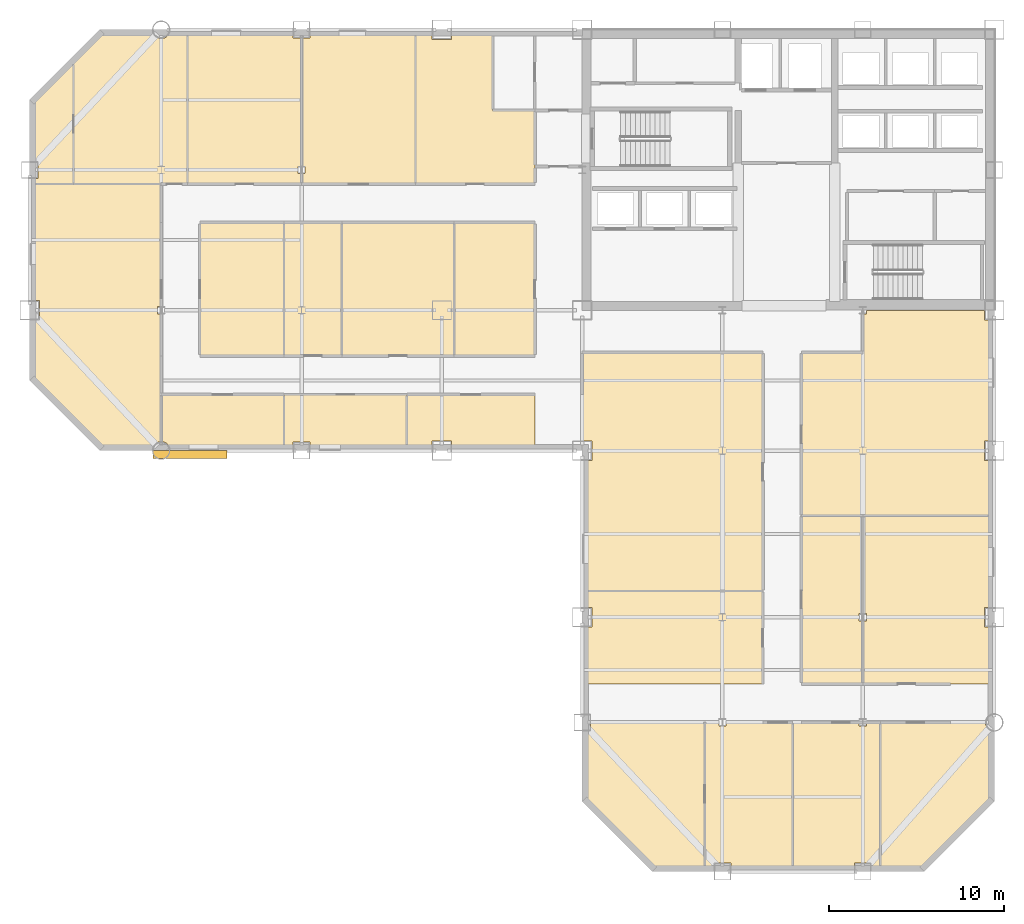
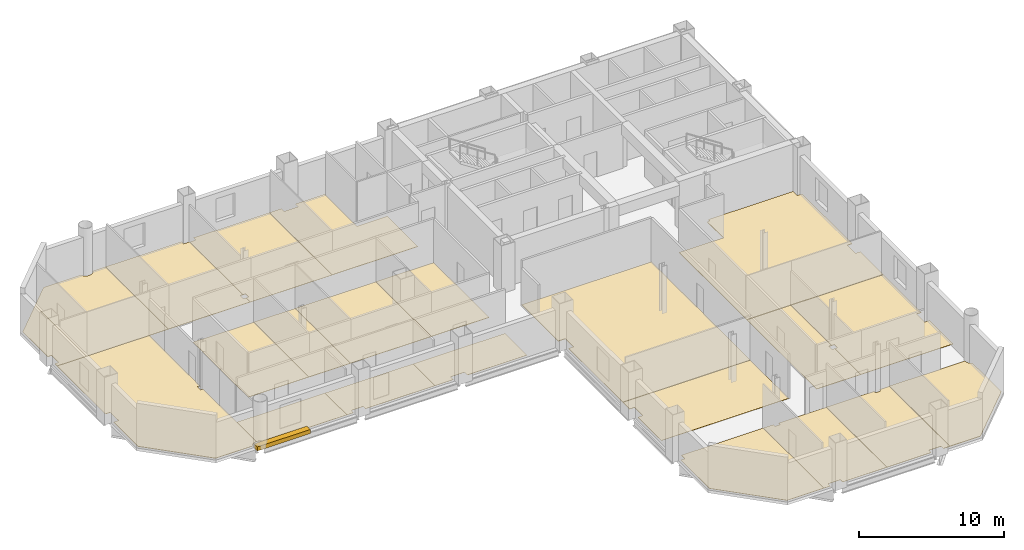
# One storey, part 9 of 10: 22 coverings, 1 shading device.
"""IFC4 building model written with IfcOpenShell, lengths in metres."""

from ifc_helpers import new_model, si_unit, direction, frame, origin, origin_2d, place, context, subcontext, project, spatial, polyline, rectangle, outline, extrude, material, layer, layer_set, type_object, element, save


model = new_model("IFC4")

# Units and contexts
model_context = context("Model", 3, precision=1e-05, world=origin(), true_north=direction((0.0, 1.0)))
body_context = subcontext(model_context, "Body", "Model", "MODEL_VIEW")
ifc_project = project(units=[si_unit("LENGTHUNIT", "METRE"), si_unit("AREAUNIT", "SQUARE_METRE"), si_unit("VOLUMEUNIT", "CUBIC_METRE"), si_unit("PLANEANGLEUNIT", "RADIAN"), si_unit("MASSUNIT", "GRAM", prefix="KILO")], contexts=[model_context])

# Site, building, storey
site_placement = place(None, origin())
site = spatial("IfcSite", under=ifc_project, at=site_placement, CompositionType="ELEMENT")
building_placement = place(site_placement, origin())
building = spatial("IfcBuilding", under=site, at=building_placement, Name="Qianrong Seaharbour Tower", CompositionType="ELEMENT")
storey_placement = place(building_placement, frame((0.0, 0.0, 179.0)))
storey = spatial("IfcBuildingStorey", under=building, at=storey_placement, Name="L43", CompositionType="ELEMENT", Elevation=179.0)

# Coverings
ifc_material_1 = material(Name="Acoustic modular carpet tile flooring")
ifc_layer_1 = layer(ifc_material_1, 0.02001953125)
ifc_layer_set_1 = layer_set([ifc_layer_1], Name="Acoustic modular carpet tile flooring")
covering_type_1 = type_object("IfcCoveringType", Name="COV-FLOOR-CARPET-20", PredefinedType="FLOORING", material=ifc_layer_set_1)
covering_1_placement = place(storey_placement, origin())
element("IfcCovering", 1, at=covering_1_placement, inside=storey, type_object=covering_type_1, Name="L43 Contract Meeting Room 4 Finish Flooring", PredefinedType="FLOORING", context=body_context, shape_type="SweptSolid", body=[
    extrude(outline(polyline([(24.5, 43.7900390625), (24.7099609375, 43.7900390625), (24.7099609375, 44.2099609375), (24.5, 44.2099609375), (24.5, 51.514892578125), (24.985107421875, 51.514892578125), (24.985107421875, 51.824951171875), (31.0, 51.824951171875), (31.0, 43.199951171875), (24.5, 43.199951171875), (24.5, 43.7900390625)])), origin(), (0.0, 0.0, 1.0), 0.02001953125),
])
covering_2_placement = place(storey_placement, origin())
element("IfcCovering", 2, at=covering_2_placement, inside=storey, type_object=covering_type_1, Name="L43 Negotiation Meeting Room 1 Finish Flooring", PredefinedType="FLOORING", context=body_context, shape_type="SweptSolid", body=[
    extrude(outline(polyline([(23.5, 28.175048828125), (16.977294921875, 28.175048828125), (16.97119140625, 28.1953125), (16.924072265625, 28.283203125), (16.860595703125, 28.360595703125), (16.783203125, 28.424072265625), (16.6953125, 28.47119140625), (16.599609375, 28.500244140625), (16.5, 28.510009765625), (16.5, 31.199951171875), (23.5, 31.199951171875), (23.5, 28.175048828125)])), origin(), (0.0, 0.0, 1.0), 0.02001953125),
])
covering_3_placement = place(storey_placement, origin())
element("IfcCovering", 3, at=covering_3_placement, inside=storey, type_object=covering_type_1, Name="L43 Wet Pantry 2 Finish Flooring", PredefinedType="FLOORING", context=body_context, shape_type="SweptSolid", body=[
    extrude(outline(polyline([(30.5, 28.175048828125), (24.985107421875, 28.175048828125), (24.985107421875, 28.485107421875), (24.014892578125, 28.485107421875), (24.014892578125, 28.175048828125), (23.5, 28.175048828125), (23.5, 31.199951171875), (30.5, 31.199951171875), (30.5, 28.175048828125)])), origin(), (0.0, 0.0, 1.0), 0.02001953125),
])
covering_4_placement = place(storey_placement, origin())
element("IfcCovering", 4, at=covering_4_placement, inside=storey, type_object=covering_type_1, Name="L43 Negotiation Meeting Room 3 Finish Flooring", PredefinedType="FLOORING", context=body_context, shape_type="SweptSolid", body=[
    extrude(outline(polyline([(37.800048828125, 28.175048828125), (33.06005859375, 28.175048828125), (33.06005859375, 28.56005859375), (31.93994140625, 28.56005859375), (31.93994140625, 28.175048828125), (30.5, 28.175048828125), (30.5, 31.199951171875), (37.800048828125, 31.199951171875), (37.800048828125, 28.175048828125)])), origin(), (0.0, 0.0, 1.0), 0.02001953125),
])
covering_5_placement = place(storey_placement, origin())
element("IfcCovering", 5, at=covering_5_placement, inside=storey, type_object=covering_type_1, Name="L43 Wet Pantry 1 Finish Flooring", PredefinedType="FLOORING", context=body_context, shape_type="SweptSolid", body=[
    extrude(outline(polyline([(40.675048828125, 14.699951171875), (40.675048828125, 17.93994140625), (41.06005859375, 17.93994140625), (41.06005859375, 19.06005859375), (40.675048828125, 19.06005859375), (40.675048828125, 20.0), (50.800048828125, 20.0), (50.800048828125, 14.699951171875), (40.675048828125, 14.699951171875)])), origin(), (0.0, 0.0, 1.0), 0.02001953125),
])
covering_6_placement = place(storey_placement, origin())
element("IfcCovering", 6, at=covering_6_placement, inside=storey, type_object=covering_type_1, Name="L43 Harbour Trade Lounge 1 Finish Flooring", PredefinedType="FLOORING", context=body_context, shape_type="SweptSolid", body=[
    extrude(outline(polyline([(44.572509765625, 4.175048828125), (40.675048828125, 8.072509765625), (40.675048828125, 12.014892578125), (40.985107421875, 12.014892578125), (40.985107421875, 12.5), (47.5, 12.5), (47.5, 4.175048828125), (44.572509765625, 4.175048828125)])), origin(), (0.0, 0.0, 1.0), 0.02001953125),
])
covering_7_placement = place(storey_placement, origin())
element("IfcCovering", 7, at=covering_7_placement, inside=storey, type_object=covering_type_1, Name="L43 Contract Signing Room 2 Finish Flooring", PredefinedType="FLOORING", context=body_context, shape_type="SweptSolid", body=[
    extrude(outline(polyline([(52.5, 4.175048828125), (48.985107421875, 4.175048828125), (48.985107421875, 4.485107421875), (48.014892578125, 4.485107421875), (48.014892578125, 4.175048828125), (47.5, 4.175048828125), (47.5, 12.5), (48.2900390625, 12.5), (48.2900390625, 12.2900390625), (48.7099609375, 12.2900390625), (48.7099609375, 12.5), (52.5, 12.5), (52.5, 4.175048828125)])), origin(), (0.0, 0.0, 1.0), 0.02001953125),
])
ifc_material_2 = material(Name="Honed granite stone flooring", Category="masonry")
ifc_layer_2 = layer(ifc_material_2, 0.030029296875)
ifc_layer_set_2 = layer_set([ifc_layer_2], Name="Honed granite stone flooring")
covering_type_2 = type_object("IfcCoveringType", Name="COV-FLOOR-GRANITE-30", PredefinedType="FLOORING", material=ifc_layer_set_2)
covering_8_placement = place(storey_placement, origin())
element("IfcCovering", 8, at=covering_8_placement, inside=storey, type_object=covering_type_2, Name="L43 Chartering Model Showroom 1 Finish Flooring", PredefinedType="FLOORING", context=body_context, shape_type="SweptSolid", body=[
    extrude(outline(polyline([(56.5, 24.2900390625), (56.5, 18.7099609375), (56.2900390625, 18.7099609375), (56.2900390625, 18.2900390625), (56.5, 18.2900390625), (56.5, 14.699951171875), (53.0, 14.699951171875), (53.0, 24.2900390625), (56.5, 24.2900390625)])), origin(), (0.0, 0.0, 1.0), 0.030029296875),
])
covering_9_placement = place(storey_placement, origin())
element("IfcCovering", 9, at=covering_9_placement, inside=storey, type_object=covering_type_2, Name="L43 Port Equipment Showroom 2 Finish Flooring", PredefinedType="FLOORING", context=body_context, shape_type="SweptSolid", body=[
    extrude(outline(polyline([(63.824951171875, 24.2900390625), (63.824951171875, 19.06005859375), (63.43994140625, 19.06005859375), (63.43994140625, 17.93994140625), (63.824951171875, 17.93994140625), (63.824951171875, 14.699951171875), (56.5, 14.699951171875), (56.5, 18.2900390625), (56.7099609375, 18.2900390625), (56.7099609375, 18.7099609375), (56.5, 18.7099609375), (56.5, 24.2900390625), (63.824951171875, 24.2900390625)])), origin(), (0.0, 0.0, 1.0), 0.030029296875),
])
covering_10_placement = place(storey_placement, origin())
element("IfcCovering", 10, at=covering_10_placement, inside=storey, type_object=covering_type_2, Name="L43 Vessel Model Showroom 1 Finish Flooring", PredefinedType="FLOORING", context=body_context, shape_type="SweptSolid", body=[
    extrude(outline(polyline([(9.175048828125, 43.514892578125), (9.485107421875, 43.514892578125), (9.485107421875, 44.485107421875), (9.175048828125, 44.485107421875), (9.175048828125, 47.927490234375), (11.5, 50.25244140625), (11.5, 43.199951171875), (9.175048828125, 43.199951171875), (9.175048828125, 43.514892578125)])), origin(), (0.0, 0.0, 1.0), 0.030029296875),
])
covering_11_placement = place(storey_placement, origin())
element("IfcCovering", 11, at=covering_11_placement, inside=storey, type_object=covering_type_2, Name="L43 Navigation Systems Showroom 2 Finish Flooring", PredefinedType="FLOORING", context=body_context, shape_type="SweptSolid", body=[
    extrude(outline(polyline([(11.5, 50.25244140625), (13.072509765625, 51.824951171875), (16.022705078125, 51.824951171875), (16.02880859375, 51.8046875), (16.075927734375, 51.716796875), (16.139404296875, 51.639404296875), (16.216796875, 51.575927734375), (16.3046875, 51.52880859375), (16.400390625, 51.499755859375), (16.5, 51.489990234375), (16.599609375, 51.499755859375), (16.6953125, 51.52880859375), (16.783203125, 51.575927734375), (16.860595703125, 51.639404296875), (16.924072265625, 51.716796875), (16.97119140625, 51.8046875), (16.977294921875, 51.824951171875), (18.0, 51.824951171875), (18.0, 43.199951171875), (11.5, 43.199951171875), (11.5, 50.25244140625)])), origin(), (0.0, 0.0, 1.0), 0.030029296875),
])
covering_12_placement = place(storey_placement, origin())
element("IfcCovering", 12, at=covering_12_placement, inside=storey, type_object=covering_type_2, Name="L43 Marine Propulsion Showroom 3 Finish Flooring", PredefinedType="FLOORING", context=body_context, shape_type="SweptSolid", body=[
    extrude(outline(polyline([(18.0, 51.824951171875), (24.014892578125, 51.824951171875), (24.014892578125, 51.514892578125), (24.5, 51.514892578125), (24.5, 44.2099609375), (24.2900390625, 44.2099609375), (24.2900390625, 43.7900390625), (24.5, 43.7900390625), (24.5, 43.199951171875), (18.0, 43.199951171875), (18.0, 51.824951171875)])), origin(), (0.0, 0.0, 1.0), 0.030029296875),
])
covering_13_placement = place(storey_placement, origin())
element("IfcCovering", 13, at=covering_13_placement, inside=storey, type_object=covering_type_2, Name="L43 Vessel Model Showroom 5 Finish Flooring", PredefinedType="FLOORING", context=body_context, shape_type="SweptSolid", body=[
    extrude(outline(polyline([(31.0, 51.824951171875), (31.93994140625, 51.824951171875), (31.93994140625, 51.43994140625), (33.06005859375, 51.43994140625), (33.06005859375, 51.824951171875), (35.39990234375, 51.824951171875), (35.39990234375, 47.39990234375), (37.800048828125, 47.39990234375), (37.800048828125, 43.199951171875), (31.0, 43.199951171875), (31.0, 51.824951171875)])), origin(), (0.0, 0.0, 1.0), 0.030029296875),
])
covering_14_placement = place(storey_placement, origin())
element("IfcCovering", 14, at=covering_14_placement, inside=storey, type_object=covering_type_2, Name="L43 Maritime Artifact Showroom 1 Finish Flooring", PredefinedType="FLOORING", context=body_context, shape_type="SweptSolid", body=[
    extrude(outline(polyline([(23.5, 41.0), (23.5, 33.39990234375), (18.699951171875, 33.39990234375), (18.699951171875, 41.0), (23.5, 41.0)])), origin(), (0.0, 0.0, 1.0), 0.030029296875),
])
covering_15_placement = place(storey_placement, origin())
element("IfcCovering", 15, at=covering_15_placement, inside=storey, type_object=covering_type_2, Name="L43 Maritime Artifact Showroom 2 Finish Flooring", PredefinedType="FLOORING", context=body_context, shape_type="SweptSolid", body=[
    extrude(outline(polyline([(26.800048828125, 41.0), (26.800048828125, 33.39990234375), (23.5, 33.39990234375), (23.5, 41.0), (26.800048828125, 41.0)])), origin(), (0.0, 0.0, 1.0), 0.030029296875),
])
covering_16_placement = place(storey_placement, origin())
element("IfcCovering", 16, at=covering_16_placement, inside=storey, type_object=covering_type_2, Name="L43 Maritime Artifact Showroom 3 Finish Flooring", PredefinedType="FLOORING", context=body_context, shape_type="SweptSolid", body=[
    extrude(outline(polyline([(33.199951171875, 41.0), (33.199951171875, 33.39990234375), (26.800048828125, 33.39990234375), (26.800048828125, 41.0), (33.199951171875, 41.0)])), origin(), (0.0, 0.0, 1.0), 0.030029296875),
])
covering_17_placement = place(storey_placement, origin())
element("IfcCovering", 17, at=covering_17_placement, inside=storey, type_object=covering_type_2, Name="L43 Maritime Artifact Showroom 4 Finish Flooring", PredefinedType="FLOORING", context=body_context, shape_type="SweptSolid", body=[
    extrude(outline(polyline([(37.800048828125, 41.0), (37.800048828125, 33.39990234375), (33.199951171875, 33.39990234375), (33.199951171875, 41.0), (37.800048828125, 41.0)])), origin(), (0.0, 0.0, 1.0), 0.030029296875),
])
covering_18_placement = place(storey_placement, origin())
element("IfcCovering", 18, at=covering_18_placement, inside=storey, type_object=covering_type_2, Name="L43 Flagship Fleet Exhibition Showroom Finish Flooring", PredefinedType="FLOORING", context=body_context, shape_type="SweptSolid", body=[
    extrude(outline(polyline([(13.072509765625, 28.175048828125), (9.175048828125, 32.072509765625), (9.175048828125, 35.43994140625), (9.56005859375, 35.43994140625), (9.56005859375, 36.56005859375), (9.175048828125, 36.56005859375), (9.175048828125, 43.199951171875), (16.5, 43.199951171875), (16.5, 36.2099609375), (16.2900390625, 36.2099609375), (16.2900390625, 35.7900390625), (16.5, 35.7900390625), (16.5, 28.510009765625), (16.400390625, 28.500244140625), (16.3046875, 28.47119140625), (16.216796875, 28.424072265625), (16.139404296875, 28.360595703125), (16.075927734375, 28.283203125), (16.02880859375, 28.1953125), (16.022705078125, 28.175048828125), (13.072509765625, 28.175048828125)])), origin(), (0.0, 0.0, 1.0), 0.030029296875),
])
covering_19_placement = place(storey_placement, origin())
element("IfcCovering", 19, at=covering_19_placement, inside=storey, type_object=covering_type_2, Name="L43 Maritime Fleet Gallery 2 Finish Flooring", PredefinedType="FLOORING", context=body_context, shape_type="SweptSolid", body=[
    extrude(outline(polyline([(50.800048828125, 20.0), (40.675048828125, 20.0), (40.675048828125, 27.43994140625), (41.06005859375, 27.43994140625), (41.06005859375, 28.56005859375), (40.5, 28.56005859375), (40.5, 33.60009765625), (50.800048828125, 33.60009765625), (50.800048828125, 20.0)])), origin(), (0.0, 0.0, 1.0), 0.030029296875),
])
covering_20_placement = place(storey_placement, origin())
element("IfcCovering", 20, at=covering_20_placement, inside=storey, type_object=covering_type_2, Name="L43 Marine Showcase Showroom 3 Finish Flooring", PredefinedType="FLOORING", context=body_context, shape_type="SweptSolid", body=[
    extrude(outline(polyline([(57.5, 4.175048828125), (56.985107421875, 4.175048828125), (56.985107421875, 4.485107421875), (56.014892578125, 4.485107421875), (56.014892578125, 4.175048828125), (52.5, 4.175048828125), (52.5, 12.5), (56.2900390625, 12.5), (56.2900390625, 12.2900390625), (56.7099609375, 12.2900390625), (56.7099609375, 12.5), (57.5, 12.5), (57.5, 4.175048828125)])), origin(), (0.0, 0.0, 1.0), 0.030029296875),
])
ifc_material_3 = material(Name="Calcium-sulphate raised access floor tile")
ifc_layer_3 = layer(ifc_material_3, 0.044921875)
ifc_layer_set_3 = layer_set([ifc_layer_3], Name="Calcium-sulphate raised access floor tile")
covering_type_3 = type_object("IfcCoveringType", Name="COV-FLOOR-RAISED-45", PredefinedType="FLOORING", material=ifc_layer_set_3)
covering_21_placement = place(storey_placement, origin())
element("IfcCovering", 21, at=covering_21_placement, inside=storey, type_object=covering_type_3, Name="L43 Commercial Desk Open-Plan Office Finish Flooring", PredefinedType="FLOORING", context=body_context, shape_type="SweptSolid", body=[
    extrude(outline(polyline([(56.5, 33.60009765625), (56.5, 35.7900390625), (56.7099609375, 35.7900390625), (56.7099609375, 36.0), (63.43994140625, 36.0), (63.43994140625, 35.43994140625), (63.824951171875, 35.43994140625), (63.824951171875, 28.56005859375), (63.43994140625, 28.56005859375), (63.43994140625, 27.43994140625), (63.824951171875, 27.43994140625), (63.824951171875, 24.2900390625), (53.0, 24.2900390625), (53.0, 33.60009765625), (56.5, 33.60009765625)])), origin(), (0.0, 0.0, 1.0), 0.044921875),
])
covering_22_placement = place(storey_placement, origin())
element("IfcCovering", 22, at=covering_22_placement, inside=storey, type_object=covering_type_3, Name="L43 Brokerage Office 4 Finish Flooring", PredefinedType="FLOORING", context=body_context, shape_type="SweptSolid", body=[
    extrude(outline(polyline([(63.824951171875, 8.072509765625), (59.927490234375, 4.175048828125), (57.5, 4.175048828125), (57.5, 12.5), (63.489990234375, 12.5), (63.499755859375, 12.400390625), (63.52880859375, 12.3046875), (63.575927734375, 12.216796875), (63.639404296875, 12.139404296875), (63.716796875, 12.075927734375), (63.8046875, 12.02880859375), (63.824951171875, 12.022705078125), (63.824951171875, 8.072509765625)])), origin(), (0.0, 0.0, 1.0), 0.044921875),
])

# Shading device
ifc_material_4 = material(Name="White architectural precast concrete C45/55", Category="concrete")
shading_device_type = type_object("IfcShadingDeviceType", Name="SHD-SUNSHADE-WHITE-320", PredefinedType="AWNING", material=ifc_material_4)
shading_device_placement = place(storey_placement, frame((18.137451171875, 27.780029296875, -0.02001953125), z_axis=(0.0, 0.0, 1.0), x_axis=(1.0, 0.0, 0.0)))
element("IfcShadingDevice", 23, at=shading_device_placement, inside=storey, type_object=shading_device_type, Name="L43 Climbing White Precast Ribbon Canopy Fin", PredefinedType="AWNING", context=body_context, shape_type="SweptSolid", body=[
    extrude(rectangle(XDim=4.199951171875, YDim=0.4599609375, at=origin_2d()), origin(), (0.0, 0.0, 1.0), 0.340087890625),
])

save(model, "model.ifc")
